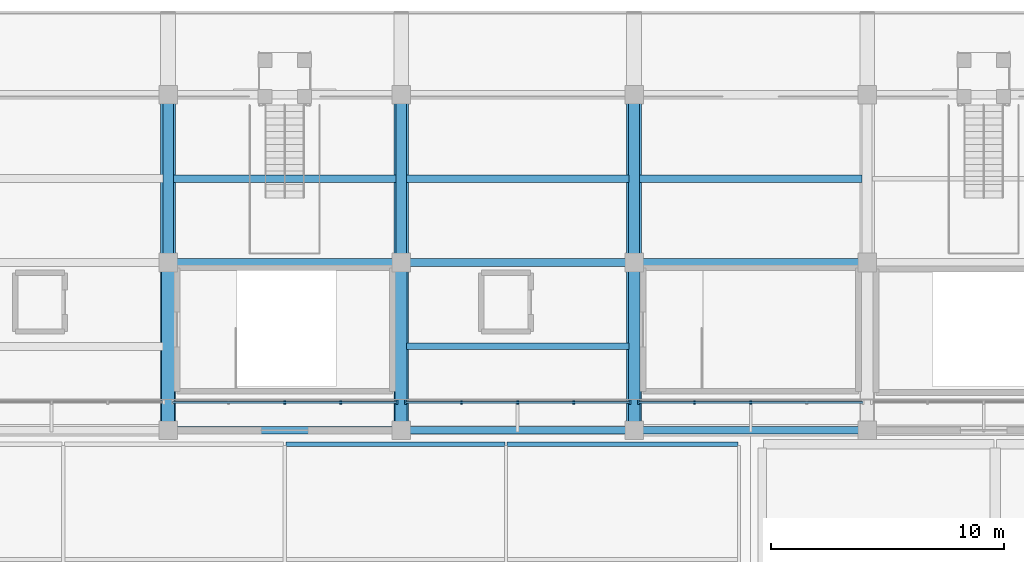
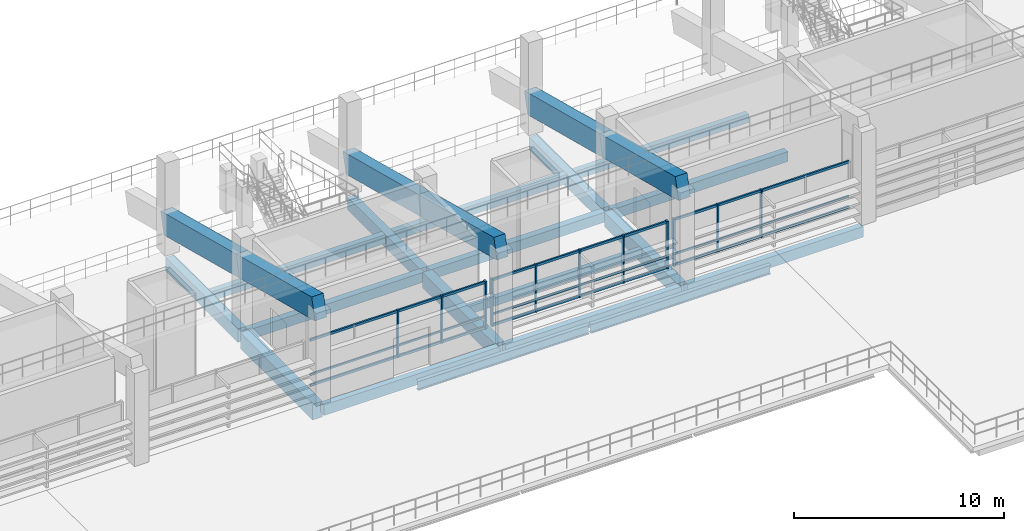
# One storey, part 16 of 96: 24 beams, 20 members, 3 elements without a shape of their own.
"""IFC4 building model written with IfcOpenShell, lengths in metres."""

from ifc_helpers import new_model, si_unit, direction, frame, origin, origin_2d, place, context, subcontext, project, spatial, rectangle, i_section, extrude, material, material_profile, profile_set, type_object, element, aggregate, save


model = new_model("IFC4")

# Units and contexts
model_context = context("Model", 3, precision=1e-05, world=origin(), true_north=direction((0.0, 1.0)))
body_context = subcontext(model_context, "Body", "Model", "MODEL_VIEW")
ifc_project = project(units=[si_unit("LENGTHUNIT", "METRE"), si_unit("AREAUNIT", "SQUARE_METRE"), si_unit("VOLUMEUNIT", "CUBIC_METRE"), si_unit("PLANEANGLEUNIT", "RADIAN"), si_unit("MASSUNIT", "GRAM", prefix="KILO")], contexts=[model_context])

# Site, building, storey
site_placement = place(None, origin())
site = spatial("IfcSite", under=ifc_project, at=site_placement, CompositionType="ELEMENT")
building_placement = place(site_placement, origin())
building = spatial("IfcBuilding", under=site, at=building_placement, Name="Candeia Ridge Stadium", CompositionType="ELEMENT")
storey_placement = place(building_placement, frame((0.0, 0.0, 21.60009765625)))
storey = spatial("IfcBuildingStorey", under=building, at=storey_placement, Name="L04", CompositionType="ELEMENT", Elevation=21.60009765625)

# Beam
ifc_material_1 = material(Name="Concrete C45/55", Category="concrete")
ifc_material_profile_1 = material_profile(ifc_material_1, rectangle(XDim=0.449951171875, YDim=0.75, at=origin_2d()), Name="RC450x750", Category="concrete")
ifc_profile_set_1 = profile_set([ifc_material_profile_1], Name="Concrete C45/55")
beam_type_1 = type_object("IfcBeamType", Name="Bowl Radial Girder RC450x750", PredefinedType="BEAM", material=ifc_profile_set_1)
beam_1_placement = place(storey_placement, frame((111.0, 33.239990234375, -0.635009765625), z_axis=(0.0, -1.0, 0.0), x_axis=(1.0, 0.0, 0.0)))
element("IfcBeam", 1, at=beam_1_placement, inside=storey, type_object=beam_type_1, Name="Bowl radial girder BM-L04-0765", PredefinedType="BEAM", context=body_context, shape_type="SweptSolid", body=[
    extrude(rectangle(XDim=0.449951171875, YDim=0.75, at=origin_2d()), origin(), (0.0, 0.0, 1.0), 6.8798828125),
])

# Curtain wall, member
ifc_material_2 = material(Name="Aluminium Anodized Warm Bronze", Category="aluminium")
curtain_wall_type = type_object("IfcCurtainWallType", Name="Concourse Recessed Unitised Curtain Wall", PredefinedType="NOTDEFINED", material=ifc_material_2)
curtain_wall_1_placement = place(storey_placement, origin())
curtain_wall_1 = element("IfcCurtainWall", 2, at=curtain_wall_1_placement, inside=storey, type_object=curtain_wall_type, Name="Unitised curtain wall CW-BWL-L04-21", PredefinedType="NOTDEFINED")
ifc_material_profile_2 = material_profile(ifc_material_2, rectangle(XDim=0.090087890625, YDim=0.179931640625, at=origin_2d()), Name="CWM-90x180", Category="aluminium")
ifc_profile_set_2 = profile_set([ifc_material_profile_2], Name="Aluminium Anodized Warm Bronze")
member_type_1 = type_object("IfcMemberType", Name="Curtain Wall Primary Mullion 90x180", PredefinedType="MULLION", material=ifc_profile_set_2)
member_1_placement = place(storey_placement, frame((110.820068359375, 20.199951171875, 0.0), z_axis=(0.0, 0.0, 1.0), x_axis=(1.0, 0.0, 0.0)))
member_1 = element("IfcMember", 3, at=member_1_placement, type_object=member_type_1, Name="Curtain wall mullion CW-BWL-L04-21-M4", PredefinedType="MULLION", context=body_context, shape_type="SweptSolid", body=[
    extrude(rectangle(XDim=0.090087890625, YDim=0.179931640625, at=origin_2d()), origin(), (0.0, 0.0, 1.0), 2.772216796875),
])

# Curtain wall, members
curtain_wall_2_placement = place(storey_placement, origin())
curtain_wall_2 = element("IfcCurtainWall", 4, at=curtain_wall_2_placement, inside=storey, type_object=curtain_wall_type, Name="Unitised curtain wall CW-BWL-L04-22", PredefinedType="NOTDEFINED")
member_2_placement = place(storey_placement, frame((111.179931640625, 20.199951171875, 0.0), z_axis=(0.0, 0.0, 1.0), x_axis=(1.0, 0.0, 0.0)))
member_2 = element("IfcMember", 5, at=member_2_placement, type_object=member_type_1, Name="Curtain wall mullion CW-BWL-L04-22-M0", PredefinedType="MULLION", context=body_context, shape_type="SweptSolid", body=[
    extrude(rectangle(XDim=0.090087890625, YDim=0.179931640625, at=origin_2d()), origin(), (0.0, 0.0, 1.0), 2.772216796875),
])
member_3_placement = place(storey_placement, frame((120.820068359375, 20.199951171875, 0.0), z_axis=(0.0, 0.0, 1.0), x_axis=(1.0, 0.0, 0.0)))
member_3 = element("IfcMember", 6, at=member_3_placement, type_object=member_type_1, Name="Curtain wall mullion CW-BWL-L04-22-M4", PredefinedType="MULLION", context=body_context, shape_type="SweptSolid", body=[
    extrude(rectangle(XDim=0.090087890625, YDim=0.179931640625, at=origin_2d()), origin(), (0.0, 0.0, 1.0), 2.772216796875),
])

# Curtain wall, member
curtain_wall_3_placement = place(storey_placement, origin())
curtain_wall_3 = element("IfcCurtainWall", 7, at=curtain_wall_3_placement, inside=storey, type_object=curtain_wall_type, Name="Unitised curtain wall CW-BWL-L04-23", PredefinedType="NOTDEFINED")
member_4_placement = place(storey_placement, frame((121.179931640625, 20.199951171875, 0.0), z_axis=(0.0, 0.0, 1.0), x_axis=(1.0, 0.0, 0.0)))
member_4 = element("IfcMember", 8, at=member_4_placement, type_object=member_type_1, Name="Curtain wall mullion CW-BWL-L04-23-M0", PredefinedType="MULLION", context=body_context, shape_type="SweptSolid", body=[
    extrude(rectangle(XDim=0.090087890625, YDim=0.179931640625, at=origin_2d()), origin(), (0.0, 0.0, 1.0), 2.772216796875),
])

# Member
ifc_material_profile_3 = material_profile(ifc_material_2, rectangle(XDim=0.074951171875, YDim=0.14990234375, at=origin_2d()), Name="CWM-75x150", Category="aluminium")
ifc_profile_set_3 = profile_set([ifc_material_profile_3], Name="Aluminium Anodized Warm Bronze")
member_type_2 = type_object("IfcMemberType", Name="Curtain Wall Secondary Mullion 75x150", PredefinedType="MULLION", material=ifc_profile_set_3)
member_5_placement = place(storey_placement, frame((106.0, 20.199951171875, 0.0), z_axis=(0.0, 0.0, 1.0), x_axis=(1.0, 0.0, 0.0)))
member_5 = element("IfcMember", 9, at=member_5_placement, type_object=member_type_2, Name="Curtain wall mullion CW-BWL-L04-21-M2", PredefinedType="MULLION", context=body_context, shape_type="SweptSolid", body=[
    extrude(rectangle(XDim=0.074951171875, YDim=0.14990234375, at=origin_2d()), origin(), (0.0, 0.0, 1.0), 2.772216796875),
])

member_6_placement = place(storey_placement, frame((108.409912109375, 20.199951171875, 0.0), z_axis=(0.0, 0.0, 1.0), x_axis=(1.0, 0.0, 0.0)))
member_6 = element("IfcMember", 10, at=member_6_placement, type_object=member_type_2, Name="Curtain wall mullion CW-BWL-L04-21-M3", PredefinedType="MULLION", context=body_context, shape_type="SweptSolid", body=[
    extrude(rectangle(XDim=0.074951171875, YDim=0.14990234375, at=origin_2d()), origin(), (0.0, 0.0, 1.0), 2.772216796875),
])

member_7_placement = place(storey_placement, frame((113.590087890625, 20.199951171875, 0.0), z_axis=(0.0, 0.0, 1.0), x_axis=(1.0, 0.0, 0.0)))
member_7 = element("IfcMember", 11, at=member_7_placement, type_object=member_type_2, Name="Curtain wall mullion CW-BWL-L04-22-M1", PredefinedType="MULLION", context=body_context, shape_type="SweptSolid", body=[
    extrude(rectangle(XDim=0.074951171875, YDim=0.14990234375, at=origin_2d()), origin(), (0.0, 0.0, 1.0), 2.772216796875),
])

member_8_placement = place(storey_placement, frame((116.0, 20.199951171875, 0.0), z_axis=(0.0, 0.0, 1.0), x_axis=(1.0, 0.0, 0.0)))
member_8 = element("IfcMember", 12, at=member_8_placement, type_object=member_type_2, Name="Curtain wall mullion CW-BWL-L04-22-M2", PredefinedType="MULLION", context=body_context, shape_type="SweptSolid", body=[
    extrude(rectangle(XDim=0.074951171875, YDim=0.14990234375, at=origin_2d()), origin(), (0.0, 0.0, 1.0), 2.772216796875),
])

member_9_placement = place(storey_placement, frame((118.409912109375, 20.199951171875, 0.0), z_axis=(0.0, 0.0, 1.0), x_axis=(1.0, 0.0, 0.0)))
member_9 = element("IfcMember", 13, at=member_9_placement, type_object=member_type_2, Name="Curtain wall mullion CW-BWL-L04-22-M3", PredefinedType="MULLION", context=body_context, shape_type="SweptSolid", body=[
    extrude(rectangle(XDim=0.074951171875, YDim=0.14990234375, at=origin_2d()), origin(), (0.0, 0.0, 1.0), 2.772216796875),
])

member_10_placement = place(storey_placement, frame((123.590087890625, 20.199951171875, 0.0), z_axis=(0.0, 0.0, 1.0), x_axis=(1.0, 0.0, 0.0)))
member_10 = element("IfcMember", 14, at=member_10_placement, type_object=member_type_2, Name="Curtain wall mullion CW-BWL-L04-23-M1", PredefinedType="MULLION", context=body_context, shape_type="SweptSolid", body=[
    extrude(rectangle(XDim=0.074951171875, YDim=0.14990234375, at=origin_2d()), origin(), (0.0, 0.0, 1.0), 2.772216796875),
])

member_11_placement = place(storey_placement, frame((126.0, 20.199951171875, 0.0), z_axis=(0.0, 0.0, 1.0), x_axis=(1.0, 0.0, 0.0)))
member_11 = element("IfcMember", 15, at=member_11_placement, type_object=member_type_2, Name="Curtain wall mullion CW-BWL-L04-23-M2", PredefinedType="MULLION", context=body_context, shape_type="SweptSolid", body=[
    extrude(rectangle(XDim=0.074951171875, YDim=0.14990234375, at=origin_2d()), origin(), (0.0, 0.0, 1.0), 2.772216796875),
])

ifc_material_profile_4 = material_profile(ifc_material_2, rectangle(XDim=0.074951171875, YDim=0.110107421875, at=origin_2d()), Name="CWT-75x110", Category="aluminium")
ifc_profile_set_4 = profile_set([ifc_material_profile_4], Name="Aluminium Anodized Warm Bronze")
member_type_3 = type_object("IfcMemberType", Name="Curtain Wall Secondary Transom 75x110", PredefinedType="USERDEFINED", material=ifc_profile_set_4)
member_12_placement = place(storey_placement, frame((101.179931640625, 20.199951171875, 0.693115234375), z_axis=(1.0, 0.0, 0.0), x_axis=(0.0, 1.0, 0.0)))
member_12 = element("IfcMember", 16, at=member_12_placement, type_object=member_type_3, Name="Curtain wall transom CW-BWL-L04-21-T1", ObjectType="TRANSOM", PredefinedType="USERDEFINED", context=body_context, shape_type="SweptSolid", body=[
    extrude(rectangle(XDim=0.074951171875, YDim=0.110107421875, at=origin_2d()), origin(), (0.0, 0.0, 1.0), 9.64013671875),
])

member_13_placement = place(storey_placement, frame((111.179931640625, 20.199951171875, 0.693115234375), z_axis=(1.0, 0.0, 0.0), x_axis=(0.0, 1.0, 0.0)))
member_13 = element("IfcMember", 17, at=member_13_placement, type_object=member_type_3, Name="Curtain wall transom CW-BWL-L04-22-T1", ObjectType="TRANSOM", PredefinedType="USERDEFINED", context=body_context, shape_type="SweptSolid", body=[
    extrude(rectangle(XDim=0.074951171875, YDim=0.110107421875, at=origin_2d()), origin(), (0.0, 0.0, 1.0), 9.64013671875),
])

member_14_placement = place(storey_placement, frame((121.179931640625, 20.199951171875, 0.693115234375), z_axis=(1.0, 0.0, 0.0), x_axis=(0.0, 1.0, 0.0)))
member_14 = element("IfcMember", 18, at=member_14_placement, type_object=member_type_3, Name="Curtain wall transom CW-BWL-L04-23-T1", ObjectType="TRANSOM", PredefinedType="USERDEFINED", context=body_context, shape_type="SweptSolid", body=[
    extrude(rectangle(XDim=0.074951171875, YDim=0.110107421875, at=origin_2d()), origin(), (0.0, 0.0, 1.0), 9.64013671875),
])

ifc_material_profile_5 = material_profile(ifc_material_2, rectangle(XDim=0.090087890625, YDim=0.139892578125, at=origin_2d()), Name="CWT-90x140", Category="aluminium")
ifc_profile_set_5 = profile_set([ifc_material_profile_5], Name="Aluminium Anodized Warm Bronze")
member_type_4 = type_object("IfcMemberType", Name="Curtain Wall Transom 90x140", PredefinedType="USERDEFINED", material=ifc_profile_set_5)
member_15_placement = place(storey_placement, frame((101.179931640625, 20.199951171875, 0.06982421875), z_axis=(1.0, 0.0, 0.0), x_axis=(0.0, 1.0, 0.0)))
member_15 = element("IfcMember", 19, at=member_15_placement, type_object=member_type_4, Name="Curtain wall transom CW-BWL-L04-21-T0", ObjectType="TRANSOM", PredefinedType="USERDEFINED", context=body_context, shape_type="SweptSolid", body=[
    extrude(rectangle(XDim=0.090087890625, YDim=0.139892578125, at=origin_2d()), origin(), (0.0, 0.0, 1.0), 9.64013671875),
])

member_16_placement = place(storey_placement, frame((101.179931640625, 20.199951171875, 2.7021484375), z_axis=(1.0, 0.0, 0.0), x_axis=(0.0, 1.0, 0.0)))
member_16 = element("IfcMember", 20, at=member_16_placement, type_object=member_type_4, Name="Curtain wall transom CW-BWL-L04-21-T2", ObjectType="TRANSOM", PredefinedType="USERDEFINED", context=body_context, shape_type="SweptSolid", body=[
    extrude(rectangle(XDim=0.090087890625, YDim=0.139892578125, at=origin_2d()), origin(), (0.0, 0.0, 1.0), 9.64013671875),
])

aggregate(curtain_wall_1, [member_5, member_6, member_1, member_15, member_12, member_16])

member_17_placement = place(storey_placement, frame((111.179931640625, 20.199951171875, 0.06982421875), z_axis=(1.0, 0.0, 0.0), x_axis=(0.0, 1.0, 0.0)))
member_17 = element("IfcMember", 21, at=member_17_placement, type_object=member_type_4, Name="Curtain wall transom CW-BWL-L04-22-T0", ObjectType="TRANSOM", PredefinedType="USERDEFINED", context=body_context, shape_type="SweptSolid", body=[
    extrude(rectangle(XDim=0.090087890625, YDim=0.139892578125, at=origin_2d()), origin(), (0.0, 0.0, 1.0), 9.64013671875),
])

member_18_placement = place(storey_placement, frame((111.179931640625, 20.199951171875, 2.7021484375), z_axis=(1.0, 0.0, 0.0), x_axis=(0.0, 1.0, 0.0)))
member_18 = element("IfcMember", 22, at=member_18_placement, type_object=member_type_4, Name="Curtain wall transom CW-BWL-L04-22-T2", ObjectType="TRANSOM", PredefinedType="USERDEFINED", context=body_context, shape_type="SweptSolid", body=[
    extrude(rectangle(XDim=0.090087890625, YDim=0.139892578125, at=origin_2d()), origin(), (0.0, 0.0, 1.0), 9.64013671875),
])

aggregate(curtain_wall_2, [member_2, member_7, member_8, member_9, member_3, member_17, member_13, member_18])

member_19_placement = place(storey_placement, frame((121.179931640625, 20.199951171875, 0.06982421875), z_axis=(1.0, 0.0, 0.0), x_axis=(0.0, 1.0, 0.0)))
member_19 = element("IfcMember", 23, at=member_19_placement, type_object=member_type_4, Name="Curtain wall transom CW-BWL-L04-23-T0", ObjectType="TRANSOM", PredefinedType="USERDEFINED", context=body_context, shape_type="SweptSolid", body=[
    extrude(rectangle(XDim=0.090087890625, YDim=0.139892578125, at=origin_2d()), origin(), (0.0, 0.0, 1.0), 9.64013671875),
])

member_20_placement = place(storey_placement, frame((121.179931640625, 20.199951171875, 2.7021484375), z_axis=(1.0, 0.0, 0.0), x_axis=(0.0, 1.0, 0.0)))
member_20 = element("IfcMember", 24, at=member_20_placement, type_object=member_type_4, Name="Curtain wall transom CW-BWL-L04-23-T2", ObjectType="TRANSOM", PredefinedType="USERDEFINED", context=body_context, shape_type="SweptSolid", body=[
    extrude(rectangle(XDim=0.090087890625, YDim=0.139892578125, at=origin_2d()), origin(), (0.0, 0.0, 1.0), 9.64013671875),
])

aggregate(curtain_wall_3, [member_4, member_10, member_11, member_19, member_14, member_20])

# Beams
ifc_material_3 = material(Name="Concrete C40/50", Category="concrete")
ifc_material_profile_6 = material_profile(ifc_material_3, rectangle(XDim=0.280029296875, YDim=0.4599609375, at=origin_2d()), Name="RC280x460", Category="concrete")
ifc_profile_set_6 = profile_set([ifc_material_profile_6], Name="Concrete C40/50")
beam_type_2 = type_object("IfcBeamType", Name="Floor Joist RC280x460", PredefinedType="JOIST", material=ifc_profile_set_6)
beam_2_placement = place(storey_placement, frame((111.221923828125, 22.60009765625, -0.489990234375), z_axis=(1.0, 0.0, 0.0), x_axis=(0.0, 1.0, 0.0)))
element("IfcBeam", 25, at=beam_2_placement, inside=storey, type_object=beam_type_2, Name="Concourse secondary joist BM-L04-0899", PredefinedType="JOIST", context=body_context, shape_type="SweptSolid", body=[
    extrude(rectangle(XDim=0.280029296875, YDim=0.4599609375, at=origin_2d()), origin(), (0.0, 0.0, 1.0), 9.55615234375),
])
ifc_material_profile_7 = material_profile(ifc_material_3, rectangle(XDim=0.31005859375, YDim=0.489990234375, at=origin_2d()), Name="RC310x490", Category="concrete")
ifc_profile_set_7 = profile_set([ifc_material_profile_7], Name="Concrete C40/50")
beam_type_3 = type_object("IfcBeamType", Name="Floor Joist RC310x490", PredefinedType="JOIST", material=ifc_profile_set_7)
beam_3_placement = place(storey_placement, frame((121.221923828125, 29.800048828125, -0.505126953125), z_axis=(1.0, 0.0, 0.0), x_axis=(0.0, 1.0, 0.0)))
element("IfcBeam", 26, at=beam_3_placement, inside=storey, type_object=beam_type_3, Name="Concourse secondary joist BM-L04-0903", PredefinedType="JOIST", context=body_context, shape_type="SweptSolid", body=[
    extrude(rectangle(XDim=0.31005859375, YDim=0.489990234375, at=origin_2d()), origin(), (0.0, 0.0, 1.0), 9.55615234375),
])
ifc_material_profile_8 = material_profile(ifc_material_3, rectangle(XDim=0.320068359375, YDim=0.52001953125, at=origin_2d()), Name="RC320x520", Category="concrete")
ifc_profile_set_8 = profile_set([ifc_material_profile_8], Name="Concrete C40/50")
beam_type_4 = type_object("IfcBeamType", Name="Floor Joist RC320x520", PredefinedType="JOIST", material=ifc_profile_set_8)
beam_4_placement = place(storey_placement, frame((101.221923828125, 29.800048828125, -0.52001953125), z_axis=(1.0, 0.0, 0.0), x_axis=(0.0, 1.0, 0.0)))
element("IfcBeam", 27, at=beam_4_placement, inside=storey, type_object=beam_type_4, Name="Concourse secondary joist BM-L04-0894", PredefinedType="JOIST", context=body_context, shape_type="SweptSolid", body=[
    extrude(rectangle(XDim=0.320068359375, YDim=0.52001953125, at=origin_2d()), origin(), (0.0, 0.0, 1.0), 9.55615234375),
])
ifc_material_profile_9 = material_profile(ifc_material_3, rectangle(XDim=0.330078125, YDim=0.530029296875, at=origin_2d()), Name="RC330x530", Category="concrete")
ifc_profile_set_9 = profile_set([ifc_material_profile_9], Name="Concrete C40/50")
beam_type_5 = type_object("IfcBeamType", Name="Floor Joist RC330x530", PredefinedType="JOIST", material=ifc_profile_set_9)
beam_5_placement = place(storey_placement, frame((111.221923828125, 29.800048828125, -0.525146484375), z_axis=(1.0, 0.0, 0.0), x_axis=(0.0, 1.0, 0.0)))
element("IfcBeam", 28, at=beam_5_placement, inside=storey, type_object=beam_type_5, Name="Concourse secondary joist BM-L04-0898", PredefinedType="JOIST", context=body_context, shape_type="SweptSolid", body=[
    extrude(rectangle(XDim=0.330078125, YDim=0.530029296875, at=origin_2d()), origin(), (0.0, 0.0, 1.0), 9.55615234375),
])
ifc_material_profile_10 = material_profile(ifc_material_3, rectangle(XDim=0.360107421875, YDim=0.580078125, at=origin_2d()), Name="RC360x580", Category="concrete")
ifc_profile_set_10 = profile_set([ifc_material_profile_10], Name="Concrete C40/50")
beam_type_6 = type_object("IfcBeamType", Name="Frame Girder RC360x580", PredefinedType="BEAM", material=ifc_profile_set_10)
for number, where, z_axis, x_axis, name in (
    (29, (101.159912109375, 26.199951171875, -0.550048828125), (1.0, 0.0, 0.0), (0.0, 1.0, 0.0), "Concourse spine girder BM-L04-0892"),
    (30, (111.159912109375, 26.199951171875, -0.550048828125), (1.0, 0.0, 0.0), (0.0, 1.0, 0.0), "Concourse spine girder BM-L04-0896"),
    (31, (121.159912109375, 26.199951171875, -0.550048828125), (1.0, 0.0, 0.0), (0.0, 1.0, 0.0), "Concourse spine girder BM-L04-0901"),
):
    element("IfcBeam", number, at=place(storey_placement, frame(where, z_axis=z_axis, x_axis=x_axis)), inside=storey, type_object=beam_type_6, Name=name, PredefinedType="BEAM", context=body_context, shape_type="SweptSolid", body=[
        extrude(rectangle(XDim=0.360107421875, YDim=0.580078125, at=origin_2d()), origin(), (0.0, 0.0, 1.0), 9.68017578125),
    ])
ifc_material_profile_11 = material_profile(ifc_material_3, rectangle(XDim=0.4599609375, YDim=0.780029296875, at=origin_2d()), Name="RC460x780", Category="concrete")
ifc_profile_set_11 = profile_set([ifc_material_profile_11], Name="Concrete C40/50")
beam_type_7 = type_object("IfcBeamType", Name="Frame Girder RC460x780", PredefinedType="BEAM", material=ifc_profile_set_11)
beam_6_placement = place(storey_placement, frame((101.0, 33.239990234375, -0.650146484375), z_axis=(0.0, -1.0, 0.0), x_axis=(1.0, 0.0, 0.0)))
element("IfcBeam", 32, at=beam_6_placement, inside=storey, type_object=beam_type_7, Name="Bowl radial girder BM-L04-0763", PredefinedType="BEAM", context=body_context, shape_type="SweptSolid", body=[
    extrude(rectangle(XDim=0.4599609375, YDim=0.780029296875, at=origin_2d()), origin(), (0.0, 0.0, 1.0), 6.8798828125),
])
ifc_material_profile_12 = material_profile(ifc_material_3, rectangle(XDim=0.469970703125, YDim=0.760009765625, at=origin_2d()), Name="RC470x760", Category="concrete")
ifc_profile_set_12 = profile_set([ifc_material_profile_12], Name="Concrete C40/50")
beam_type_8 = type_object("IfcBeamType", Name="Frame Girder RC470x760", PredefinedType="BEAM", material=ifc_profile_set_12)
beam_7_placement = place(storey_placement, frame((121.0, 33.239990234375, -0.64013671875), z_axis=(0.0, -1.0, 0.0), x_axis=(1.0, 0.0, 0.0)))
element("IfcBeam", 33, at=beam_7_placement, inside=storey, type_object=beam_type_8, Name="Bowl radial girder BM-L04-0767", PredefinedType="BEAM", context=body_context, shape_type="SweptSolid", body=[
    extrude(rectangle(XDim=0.469970703125, YDim=0.760009765625, at=origin_2d()), origin(), (0.0, 0.0, 1.0), 6.8798828125),
])
ifc_material_profile_13 = material_profile(ifc_material_1, rectangle(XDim=0.5, YDim=0.85009765625, at=origin_2d()), Name="RC500x850", Category="concrete")
ifc_profile_set_13 = profile_set([ifc_material_profile_13], Name="Concrete C45/55")
beam_type_9 = type_object("IfcBeamType", Name="Frame Girder RC500x850", PredefinedType="BEAM", material=ifc_profile_set_13)
beam_8_placement = place(storey_placement, frame((121.0, 26.0400390625, -0.68505859375), z_axis=(0.0, -1.0, 0.0), x_axis=(1.0, 0.0, 0.0)))
element("IfcBeam", 34, at=beam_8_placement, inside=storey, type_object=beam_type_9, Name="Bowl radial girder BM-L04-0768", PredefinedType="BEAM", context=body_context, shape_type="SweptSolid", body=[
    extrude(rectangle(XDim=0.5, YDim=0.85009765625, at=origin_2d()), origin(), (0.0, 0.0, 1.0), 6.880126953125),
])
ifc_material_profile_14 = material_profile(ifc_material_1, rectangle(XDim=0.52001953125, YDim=0.8798828125, at=origin_2d()), Name="RC520x880", Category="concrete")
ifc_profile_set_14 = profile_set([ifc_material_profile_14], Name="Concrete C45/55")
beam_type_10 = type_object("IfcBeamType", Name="Frame Girder RC520x880", PredefinedType="BEAM", material=ifc_profile_set_14)
beam_9_placement = place(storey_placement, frame((111.0, 26.0400390625, -0.7001953125), z_axis=(0.0, -1.0, 0.0), x_axis=(1.0, 0.0, 0.0)))
element("IfcBeam", 35, at=beam_9_placement, inside=storey, type_object=beam_type_10, Name="Bowl radial girder BM-L04-0766", PredefinedType="BEAM", context=body_context, shape_type="SweptSolid", body=[
    extrude(rectangle(XDim=0.52001953125, YDim=0.8798828125, at=origin_2d()), origin(), (0.0, 0.0, 1.0), 6.880126953125),
])
ifc_material_profile_15 = material_profile(ifc_material_1, rectangle(XDim=0.550048828125, YDim=0.919921875, at=origin_2d()), Name="RC550x920", Category="concrete")
ifc_profile_set_15 = profile_set([ifc_material_profile_15], Name="Concrete C45/55")
beam_type_11 = type_object("IfcBeamType", Name="Frame Girder RC550x920", PredefinedType="BEAM", material=ifc_profile_set_15)
beam_10_placement = place(storey_placement, frame((101.0, 26.0400390625, -0.72021484375), z_axis=(0.0, -1.0, 0.0), x_axis=(1.0, 0.0, 0.0)))
element("IfcBeam", 36, at=beam_10_placement, inside=storey, type_object=beam_type_11, Name="Bowl radial girder BM-L04-0764", PredefinedType="BEAM", context=body_context, shape_type="SweptSolid", body=[
    extrude(rectangle(XDim=0.550048828125, YDim=0.919921875, at=origin_2d()), origin(), (0.0, 0.0, 1.0), 6.880126953125),
])
ifc_material_4 = material(Name="Steel ASTM A572 Grade 50", Category="steel")
ifc_material_profile_16 = material_profile(ifc_material_4, i_section(OverallWidth=0.208984375, OverallDepth=0.532958984375, WebThickness=0.01025390625, FlangeThickness=0.015625, FilletRadius=0.013916015625, at=origin_2d()), Name="W530x92", Category="steel")
ifc_profile_set_16 = profile_set([ifc_material_profile_16], Name="Steel ASTM A572 Grade 50")
beam_type_12 = type_object("IfcBeamType", Name="Gate Portal Girder W530x92", PredefinedType="BEAM", material=ifc_profile_set_16)
beam_11_placement = place(storey_placement, frame((106.050048828125, 18.39990234375, -0.53662109375), z_axis=(1.0, 0.0, 0.0), x_axis=(0.0, 1.0, 0.0)))
element("IfcBeam", 37, at=beam_11_placement, inside=storey, type_object=beam_type_12, Name="Structural girder BM-L04-2541", PredefinedType="BEAM", context=body_context, shape_type="SweptSolid", body=[
    extrude(i_section(OverallWidth=0.208984375, OverallDepth=0.532958984375, WebThickness=0.01025390625, FlangeThickness=0.015625, FilletRadius=0.013916015625, at=origin_2d()), origin(), (0.0, 0.0, 1.0), 9.39990234375),
])
beam_12_placement = place(storey_placement, frame((115.550048828125, 18.39990234375, -0.546630859375), z_axis=(1.0, 0.0, 0.0), x_axis=(0.0, 1.0, 0.0)))
element("IfcBeam", 38, at=beam_12_placement, inside=storey, type_object=beam_type_12, Name="Structural girder BM-L04-2544", PredefinedType="BEAM", context=body_context, shape_type="SweptSolid", body=[
    extrude(i_section(OverallWidth=0.208984375, OverallDepth=0.532958984375, WebThickness=0.01025390625, FlangeThickness=0.015625, FilletRadius=0.013916015625, at=origin_2d()), origin(), (0.0, 0.0, 1.0), 9.89990234375),
])
ifc_material_profile_17 = material_profile(ifc_material_3, rectangle(XDim=0.320068359375, YDim=0.6201171875, at=origin_2d()), Name="RC320x620", Category="concrete")
ifc_profile_set_17 = profile_set([ifc_material_profile_17], Name="Concrete C40/50")
beam_type_13 = type_object("IfcBeamType", Name="Spandrel Beam RC320x620", PredefinedType="SPANDREL", material=ifc_profile_set_17)
for number, where, z_axis, x_axis, name in (
    (39, (101.159912109375, 19.0, -0.570068359375), (1.0, 0.0, 0.0), (0.0, 1.0, 0.0), "Bowl perimeter spandrel BM-L04-0893"),
    (40, (111.159912109375, 19.0, -0.570068359375), (1.0, 0.0, 0.0), (0.0, 1.0, 0.0), "Bowl perimeter spandrel BM-L04-0897"),
    (41, (121.159912109375, 19.0, -0.570068359375), (1.0, 0.0, 0.0), (0.0, 1.0, 0.0), "Bowl perimeter spandrel BM-L04-0902"),
):
    element("IfcBeam", number, at=place(storey_placement, frame(where, z_axis=z_axis, x_axis=x_axis)), inside=storey, type_object=beam_type_13, Name=name, PredefinedType="SPANDREL", context=body_context, shape_type="SweptSolid", body=[
        extrude(rectangle(XDim=0.320068359375, YDim=0.6201171875, at=origin_2d()), origin(), (0.0, 0.0, 1.0), 9.68017578125),
    ])
ifc_material_profile_18 = material_profile(ifc_material_1, rectangle(XDim=0.6201171875, YDim=1.179931640625, at=origin_2d()), Name="RC620x1180", Category="concrete")
ifc_profile_set_18 = profile_set([ifc_material_profile_18], Name="Concrete C45/55")
beam_type_14 = type_object("IfcBeamType", Name="Stand Raker Beam RC620x1180", PredefinedType="USERDEFINED", material=ifc_profile_set_18)
beam_13_placement = place(storey_placement, frame((111.0, 33.39990234375, 1.66796875), z_axis=(0.0, -0.968083084121, 0.250629491956), x_axis=(1.0, 0.0, 0.0)))
element("IfcBeam", 42, at=beam_13_placement, inside=storey, type_object=beam_type_14, Name="Stand T3 inner raker beam 23", ObjectType="RAKER", PredefinedType="USERDEFINED", context=body_context, shape_type="SweptSolid", body=[
    extrude(rectangle(XDim=0.6201171875, YDim=1.179931640625, at=origin_2d()), origin(), (0.0, 0.0, 1.0), 7.437255859375),
])
beam_14_placement = place(storey_placement, frame((111.0, 26.199951171875, 3.531982421875), z_axis=(0.0, -0.968067153083, 0.250691019229), x_axis=(1.0, 0.0, 0.0)))
element("IfcBeam", 43, at=beam_14_placement, inside=storey, type_object=beam_type_14, Name="Stand T3 outer raker beam 23", ObjectType="RAKER", PredefinedType="USERDEFINED", context=body_context, shape_type="SweptSolid", body=[
    extrude(rectangle(XDim=0.6201171875, YDim=1.179931640625, at=origin_2d()), origin(), (0.0, 0.0, 1.0), 7.4375),
])
ifc_material_profile_19 = material_profile(ifc_material_1, rectangle(XDim=0.64990234375, YDim=1.25, at=origin_2d()), Name="RC650x1250", Category="concrete")
ifc_profile_set_19 = profile_set([ifc_material_profile_19], Name="Concrete C45/55")
beam_type_15 = type_object("IfcBeamType", Name="Stand Raker Beam RC650x1250", PredefinedType="USERDEFINED", material=ifc_profile_set_19)
beam_15_placement = place(storey_placement, frame((101.0, 33.39990234375, 1.66796875), z_axis=(0.0, -0.968083084121, 0.250629491956), x_axis=(1.0, 0.0, 0.0)))
element("IfcBeam", 44, at=beam_15_placement, inside=storey, type_object=beam_type_15, Name="Stand T3 inner raker beam 22", ObjectType="RAKER", PredefinedType="USERDEFINED", context=body_context, shape_type="SweptSolid", body=[
    extrude(rectangle(XDim=0.64990234375, YDim=1.25, at=origin_2d()), origin(), (0.0, 0.0, 1.0), 7.437255859375),
])
beam_16_placement = place(storey_placement, frame((101.0, 26.199951171875, 3.531982421875), z_axis=(0.0, -0.968067153083, 0.250691019229), x_axis=(1.0, 0.0, 0.0)))
element("IfcBeam", 45, at=beam_16_placement, inside=storey, type_object=beam_type_15, Name="Stand T3 outer raker beam 22", ObjectType="RAKER", PredefinedType="USERDEFINED", context=body_context, shape_type="SweptSolid", body=[
    extrude(rectangle(XDim=0.64990234375, YDim=1.25, at=origin_2d()), origin(), (0.0, 0.0, 1.0), 7.4375),
])
beam_17_placement = place(storey_placement, frame((121.0, 33.39990234375, 1.66796875), z_axis=(0.0, -0.968083084121, 0.250629491956), x_axis=(1.0, 0.0, 0.0)))
element("IfcBeam", 46, at=beam_17_placement, inside=storey, type_object=beam_type_15, Name="Stand T3 inner raker beam 24", ObjectType="RAKER", PredefinedType="USERDEFINED", context=body_context, shape_type="SweptSolid", body=[
    extrude(rectangle(XDim=0.64990234375, YDim=1.25, at=origin_2d()), origin(), (0.0, 0.0, 1.0), 7.437255859375),
])
beam_18_placement = place(storey_placement, frame((121.0, 26.199951171875, 3.531982421875), z_axis=(0.0, -0.968067153083, 0.250691019229), x_axis=(1.0, 0.0, 0.0)))
element("IfcBeam", 47, at=beam_18_placement, inside=storey, type_object=beam_type_15, Name="Stand T3 outer raker beam 24", ObjectType="RAKER", PredefinedType="USERDEFINED", context=body_context, shape_type="SweptSolid", body=[
    extrude(rectangle(XDim=0.64990234375, YDim=1.25, at=origin_2d()), origin(), (0.0, 0.0, 1.0), 7.4375),
])

save(model, "model.ifc")
